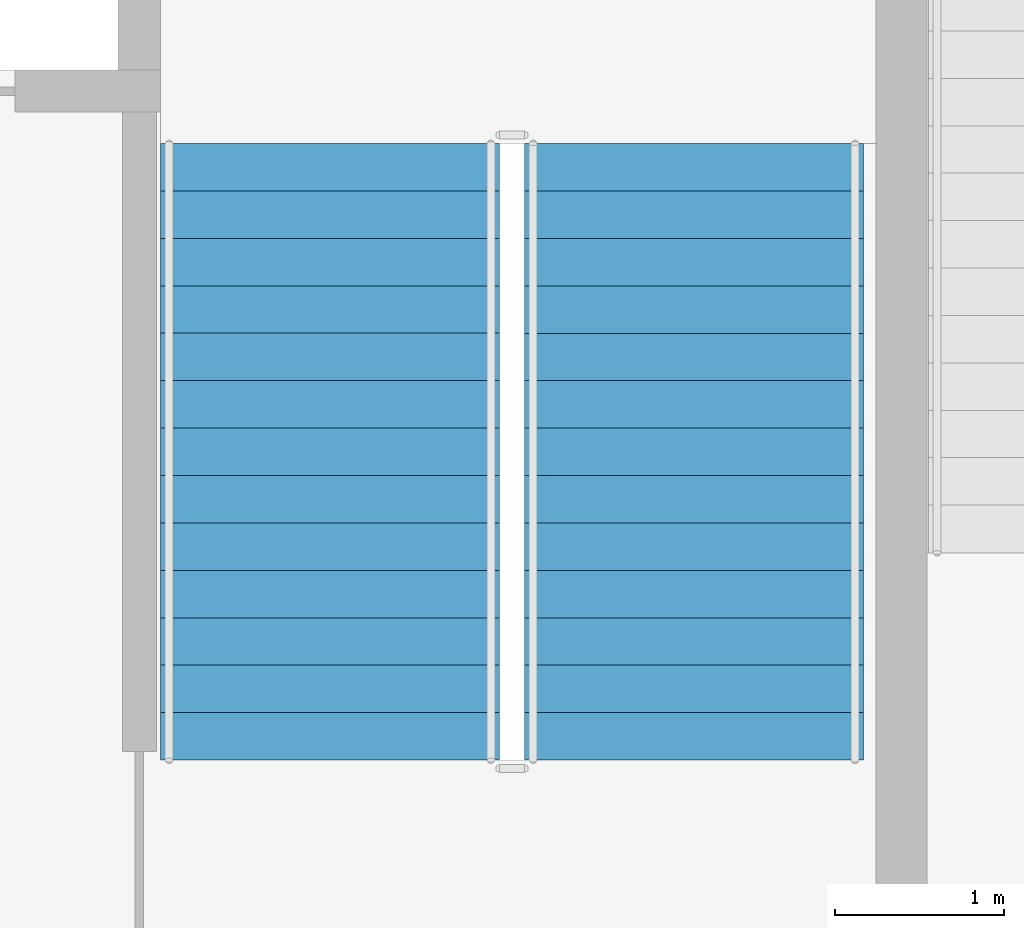
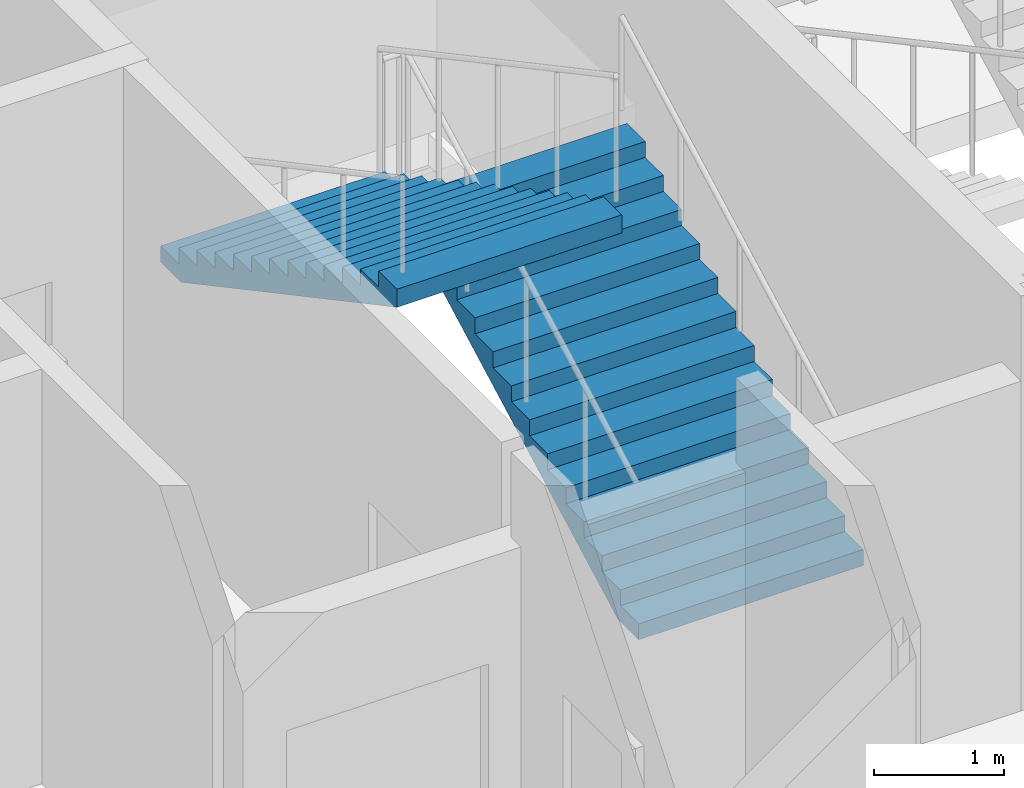
# One storey, part 4 of 6: 2 stair flights, 1 element without a shape of its own.
"""IFC4 building model written with IfcOpenShell, lengths in metres."""

from ifc_helpers import new_model, si_unit, direction, frame, origin, place, context, subcontext, project, spatial, polygons, material, type_object, element, aggregate, save


model = new_model("IFC4")

# Units and contexts
model_context = context("Model", 3, precision=1e-05, world=origin(), true_north=direction((0.0, 1.0)))
body_context = subcontext(model_context, "Body", "Model", "MODEL_VIEW")
ifc_project = project(units=[si_unit("LENGTHUNIT", "METRE"), si_unit("AREAUNIT", "SQUARE_METRE"), si_unit("VOLUMEUNIT", "CUBIC_METRE"), si_unit("PLANEANGLEUNIT", "RADIAN"), si_unit("MASSUNIT", "GRAM", prefix="KILO")], contexts=[model_context])

# Site, building, storey
site_placement = place(None, origin())
site = spatial("IfcSite", under=ifc_project, at=site_placement, CompositionType="ELEMENT")
building_placement = place(site_placement, origin())
building = spatial("IfcBuilding", under=site, at=building_placement, Name="Caravel Reach Hotel and Residences", CompositionType="ELEMENT")
storey_placement = place(building_placement, frame((0.0, 0.0, 321.199951171875)))
storey = spatial("IfcBuildingStorey", under=building, at=storey_placement, Name="L81", CompositionType="ELEMENT", Elevation=321.199951171875)

# Stair, stair flights
ifc_material_1 = material(Name="Concrete C40", Category="concrete")
stair_type = type_object("IfcStairType", Name="Core stair", PredefinedType="HALF_TURN_STAIR", material=ifc_material_1)
stair_placement = place(storey_placement, origin())
stair = element("IfcStair", 1, at=stair_placement, inside=storey, type_object=stair_type, Name="L81 Exit stair B", PredefinedType="HALF_TURN_STAIR")
ifc_material_2 = material(Name="Concrete C40", Category="concrete")
stair_flight_type = type_object("IfcStairFlightType", Name="Core stair flight", PredefinedType="STRAIGHT", material=ifc_material_2)
stair_flight_1_placement = place(storey_placement, frame((43.77490234375, 24.64990234375, 0.0), z_axis=(0.0, 0.0, 1.0), x_axis=(0.0, 1.0, 0.0)))
stair_flight_1 = element("IfcStairFlight", 2, at=stair_flight_1_placement, type_object=stair_flight_type, Name="ST-B flight 1", NumberOfRisers=14, NumberOfTreads=13, PredefinedType="STRAIGHT", RiserHeight=0.15, TreadLength=0.28, context=body_context, shape_type="Tessellation", body=[
    polygons([(0.3174408016601862, 1.0, 0.0), (0.3174408016601862, 0.6666666666666667, 0.0), (0.3174408016601862, 0.33333333333333337, 0.0), (0.3174408016601862, 0.0, 0.0), (0.3174408016601862, -0.33333333333333326, 0.0), (0.3174408016601862, -0.6666666666666667, 0.0), (0.3174408016601862, -1.0, 0.0), (3.6410000000000005, 1.0, 1.7799424276820432), (3.6410000000000005, 0.6666666666666667, 1.7799424276820432), (3.6410000000000005, 0.33333333333333337, 1.7799424276820432), (3.6410000000000005, 0.0, 1.7799424276820432), (3.6410000000000005, -0.33333333333333326, 1.7799424276820432), (3.6410000000000005, -0.6666666666666667, 1.7799424276820432), (3.6410000000000005, -1.0, 1.7799424276820432), (3.6410000000000005, 1.0, 1.95), (3.6410000000000005, 0.6666666666666667, 1.95), (3.6410000000000005, 0.33333333333333337, 1.95), (3.6410000000000005, 0.0, 1.95), (3.6410000000000005, -0.33333333333333326, 1.95), (3.6410000000000005, -0.6666666666666667, 1.95), (3.6410000000000005, -1.0, 1.95), (3.3600000000000003, 1.0, 1.95), (3.3600000000000003, 0.6666666666666667, 1.95), (3.3600000000000003, 0.33333333333333337, 1.95), (3.3600000000000003, 0.0, 1.95), (3.3600000000000003, -0.33333333333333326, 1.95), (3.3600000000000003, -0.6666666666666667, 1.95), (3.3600000000000003, -1.0, 1.95), (3.3600000000000003, 1.0, 1.7999999999999998), (3.3600000000000003, 0.6666666666666667, 1.7999999999999998), (3.3600000000000003, 0.33333333333333337, 1.7999999999999998), (3.3600000000000003, 0.0, 1.7999999999999998), (3.3600000000000003, -0.33333333333333326, 1.7999999999999998), (3.3600000000000003, -0.6666666666666667, 1.7999999999999998), (3.3600000000000003, -1.0, 1.7999999999999998), (3.08, 1.0, 1.7999999999999998), (3.08, 0.6666666666666667, 1.7999999999999998), (3.08, 0.33333333333333337, 1.7999999999999998), (3.08, 0.0, 1.7999999999999998), (3.08, -0.33333333333333326, 1.7999999999999998), (3.08, -0.6666666666666667, 1.7999999999999998), (3.08, -1.0, 1.7999999999999998), (3.08, 1.0, 1.65), (3.08, 0.6666666666666667, 1.65), (3.08, 0.33333333333333337, 1.65), (3.08, 0.0, 1.65), (3.08, -0.33333333333333326, 1.65), (3.08, -0.6666666666666667, 1.65), (3.08, -1.0, 1.65), (2.8000000000000003, 1.0, 1.65), (2.8000000000000003, 0.6666666666666667, 1.65), (2.8000000000000003, 0.33333333333333337, 1.65), (2.8000000000000003, 0.0, 1.65), (2.8000000000000003, -0.33333333333333326, 1.65), (2.8000000000000003, -0.6666666666666667, 1.65), (2.8000000000000003, -1.0, 1.65), (2.8000000000000003, 1.0, 1.5), (2.8000000000000003, 0.6666666666666667, 1.5), (2.8000000000000003, 0.33333333333333337, 1.5), (2.8000000000000003, 0.0, 1.5), (2.8000000000000003, -0.33333333333333326, 1.5), (2.8000000000000003, -0.6666666666666667, 1.5), (2.8000000000000003, -1.0, 1.5), (2.5200000000000005, 1.0, 1.5), (2.5200000000000005, 0.6666666666666667, 1.5), (2.5200000000000005, 0.33333333333333337, 1.5), (2.5200000000000005, 0.0, 1.5), (2.5200000000000005, -0.33333333333333326, 1.5), (2.5200000000000005, -0.6666666666666667, 1.5), (2.5200000000000005, -1.0, 1.5), (2.5200000000000005, 1.0, 1.3499999999999999), (2.5200000000000005, 0.6666666666666667, 1.3499999999999999), (2.5200000000000005, 0.33333333333333337, 1.3499999999999999), (2.5200000000000005, 0.0, 1.3499999999999999), (2.5200000000000005, -0.33333333333333326, 1.3499999999999999), (2.5200000000000005, -0.6666666666666667, 1.3499999999999999), (2.5200000000000005, -1.0, 1.3499999999999999), (2.24, 1.0, 1.3499999999999999), (2.24, 0.6666666666666667, 1.3499999999999999), (2.24, 0.33333333333333337, 1.3499999999999999), (2.24, 0.0, 1.3499999999999999), (2.24, -0.33333333333333326, 1.3499999999999999), (2.24, -0.6666666666666667, 1.3499999999999999), (2.24, -1.0, 1.3499999999999999), (2.24, 1.0, 1.2), (2.24, 0.6666666666666667, 1.2), (2.24, 0.33333333333333337, 1.2), (2.24, 0.0, 1.2), (2.24, -0.33333333333333326, 1.2), (2.24, -0.6666666666666667, 1.2), (2.24, -1.0, 1.2), (1.9600000000000002, 1.0, 1.2), (1.9600000000000002, 0.6666666666666667, 1.2), (1.9600000000000002, 0.33333333333333337, 1.2), (1.9600000000000002, 0.0, 1.2), (1.9600000000000002, -0.33333333333333326, 1.2), (1.9600000000000002, -0.6666666666666667, 1.2), (1.9600000000000002, -1.0, 1.2), (1.9600000000000002, 1.0, 1.05), (1.9600000000000002, 0.6666666666666667, 1.05), (1.9600000000000002, 0.33333333333333337, 1.05), (1.9600000000000002, 0.0, 1.05), (1.9600000000000002, -0.33333333333333326, 1.05), (1.9600000000000002, -0.6666666666666667, 1.05), (1.9600000000000002, -1.0, 1.05), (1.6800000000000002, 1.0, 1.05), (1.6800000000000002, 0.6666666666666667, 1.05), (1.6800000000000002, 0.33333333333333337, 1.05), (1.6800000000000002, 0.0, 1.05), (1.6800000000000002, -0.33333333333333326, 1.05), (1.6800000000000002, -0.6666666666666667, 1.05), (1.6800000000000002, -1.0, 1.05), (1.6800000000000002, 1.0, 0.8999999999999999), (1.6800000000000002, 0.6666666666666667, 0.8999999999999999), (1.6800000000000002, 0.33333333333333337, 0.8999999999999999), (1.6800000000000002, 0.0, 0.8999999999999999), (1.6800000000000002, -0.33333333333333326, 0.8999999999999999), (1.6800000000000002, -0.6666666666666667, 0.8999999999999999), (1.6800000000000002, -1.0, 0.8999999999999999), (1.4000000000000001, 1.0, 0.8999999999999999), (1.4000000000000001, 0.6666666666666667, 0.8999999999999999), (1.4000000000000001, 0.33333333333333337, 0.8999999999999999), (1.4000000000000001, 0.0, 0.8999999999999999), (1.4000000000000001, -0.33333333333333326, 0.8999999999999999), (1.4000000000000001, -0.6666666666666667, 0.8999999999999999), (1.4000000000000001, -1.0, 0.8999999999999999), (1.4000000000000001, 1.0, 0.75), (1.4000000000000001, 0.6666666666666667, 0.75), (1.4000000000000001, 0.33333333333333337, 0.75), (1.4000000000000001, 0.0, 0.75), (1.4000000000000001, -0.33333333333333326, 0.75), (1.4000000000000001, -0.6666666666666667, 0.75), (1.4000000000000001, -1.0, 0.75), (1.12, 1.0, 0.75), (1.12, 0.6666666666666667, 0.75), (1.12, 0.33333333333333337, 0.75), (1.12, 0.0, 0.75), (1.12, -0.33333333333333326, 0.75), (1.12, -0.6666666666666667, 0.75), (1.12, -1.0, 0.75), (1.12, 1.0, 0.6), (1.12, 0.6666666666666667, 0.6), (1.12, 0.33333333333333337, 0.6), (1.12, 0.0, 0.6), (1.12, -0.33333333333333326, 0.6), (1.12, -0.6666666666666667, 0.6), (1.12, -1.0, 0.6), (0.8400000000000001, 1.0, 0.6), (0.8400000000000001, 0.6666666666666667, 0.6), (0.8400000000000001, 0.33333333333333337, 0.6), (0.8400000000000001, 0.0, 0.6), (0.8400000000000001, -0.33333333333333326, 0.6), (0.8400000000000001, -0.6666666666666667, 0.6), (0.8400000000000001, -1.0, 0.6), (0.8400000000000001, 1.0, 0.44999999999999996), (0.8400000000000001, 0.6666666666666667, 0.44999999999999996), (0.8400000000000001, 0.33333333333333337, 0.44999999999999996), (0.8400000000000001, 0.0, 0.44999999999999996), (0.8400000000000001, -0.33333333333333326, 0.44999999999999996), (0.8400000000000001, -0.6666666666666667, 0.44999999999999996), (0.8400000000000001, -1.0, 0.44999999999999996), (0.56, 1.0, 0.44999999999999996), (0.56, 0.6666666666666667, 0.44999999999999996), (0.56, 0.33333333333333337, 0.44999999999999996), (0.56, 0.0, 0.44999999999999996), (0.56, -0.33333333333333326, 0.44999999999999996), (0.56, -0.6666666666666667, 0.44999999999999996), (0.56, -1.0, 0.44999999999999996), (0.56, 1.0, 0.3), (0.56, 0.6666666666666667, 0.3), (0.56, 0.33333333333333337, 0.3), (0.56, 0.0, 0.3), (0.56, -0.33333333333333326, 0.3), (0.56, -0.6666666666666667, 0.3), (0.56, -1.0, 0.3), (0.28, 1.0, 0.3), (0.28, 0.6666666666666667, 0.3), (0.28, 0.33333333333333337, 0.3), (0.28, 0.0, 0.3), (0.28, -0.33333333333333326, 0.3), (0.28, -0.6666666666666667, 0.3), (0.28, -1.0, 0.3), (0.28, 1.0, 0.15), (0.28, 0.6666666666666667, 0.15), (0.28, 0.33333333333333337, 0.15), (0.28, 0.0, 0.15), (0.28, -0.33333333333333326, 0.15), (0.28, -0.6666666666666667, 0.15), (0.28, -1.0, 0.15), (-0.001, 1.0, 0.15), (-0.001, 0.6666666666666667, 0.15), (-0.001, 0.33333333333333337, 0.15), (-0.001, 0.0, 0.15), (-0.001, -0.33333333333333326, 0.15), (-0.001, -0.6666666666666667, 0.15), (-0.001, -1.0, 0.15), (-0.001, 1.0, 0.0), (-0.001, 0.6666666666666667, 0.0), (-0.001, 0.33333333333333337, 0.0), (-0.001, 0.0, 0.0), (-0.001, -0.33333333333333326, 0.0), (-0.001, -0.6666666666666667, 0.0), (-0.001, -1.0, 0.0)], [[[197, 190, 183, 176, 169, 162, 155, 148, 141, 134, 127, 120, 113, 106, 99, 92, 85, 78, 71, 64, 57, 50, 43, 36, 29, 22, 15, 8, 1]], [[7, 14, 21, 28, 35, 42, 49, 56, 63, 70, 77, 84, 91, 98, 105, 112, 119, 126, 133, 140, 147, 154, 161, 168, 175, 182, 189, 196, 203]], [[1, 8, 9, 2]], [[2, 9, 10, 3]], [[3, 10, 11, 4]], [[4, 11, 12, 5]], [[5, 12, 13, 6]], [[6, 13, 14, 7]], [[8, 15, 16, 9]], [[9, 16, 17, 10]], [[10, 17, 18, 11]], [[11, 18, 19, 12]], [[12, 19, 20, 13]], [[13, 20, 21, 14]], [[15, 22, 23, 16]], [[16, 23, 24, 17]], [[17, 24, 25, 18]], [[18, 25, 26, 19]], [[19, 26, 27, 20]], [[20, 27, 28, 21]], [[22, 29, 30, 23]], [[23, 30, 31, 24]], [[24, 31, 32, 25]], [[25, 32, 33, 26]], [[26, 33, 34, 27]], [[27, 34, 35, 28]], [[29, 36, 37, 30]], [[30, 37, 38, 31]], [[31, 38, 39, 32]], [[32, 39, 40, 33]], [[33, 40, 41, 34]], [[34, 41, 42, 35]], [[36, 43, 44, 37]], [[37, 44, 45, 38]], [[38, 45, 46, 39]], [[39, 46, 47, 40]], [[40, 47, 48, 41]], [[41, 48, 49, 42]], [[43, 50, 51, 44]], [[44, 51, 52, 45]], [[45, 52, 53, 46]], [[46, 53, 54, 47]], [[47, 54, 55, 48]], [[48, 55, 56, 49]], [[50, 57, 58, 51]], [[51, 58, 59, 52]], [[52, 59, 60, 53]], [[53, 60, 61, 54]], [[54, 61, 62, 55]], [[55, 62, 63, 56]], [[57, 64, 65, 58]], [[58, 65, 66, 59]], [[59, 66, 67, 60]], [[60, 67, 68, 61]], [[61, 68, 69, 62]], [[62, 69, 70, 63]], [[64, 71, 72, 65]], [[65, 72, 73, 66]], [[66, 73, 74, 67]], [[67, 74, 75, 68]], [[68, 75, 76, 69]], [[69, 76, 77, 70]], [[71, 78, 79, 72]], [[72, 79, 80, 73]], [[73, 80, 81, 74]], [[74, 81, 82, 75]], [[75, 82, 83, 76]], [[76, 83, 84, 77]], [[78, 85, 86, 79]], [[79, 86, 87, 80]], [[80, 87, 88, 81]], [[81, 88, 89, 82]], [[82, 89, 90, 83]], [[83, 90, 91, 84]], [[85, 92, 93, 86]], [[86, 93, 94, 87]], [[87, 94, 95, 88]], [[88, 95, 96, 89]], [[89, 96, 97, 90]], [[90, 97, 98, 91]], [[92, 99, 100, 93]], [[93, 100, 101, 94]], [[94, 101, 102, 95]], [[95, 102, 103, 96]], [[96, 103, 104, 97]], [[97, 104, 105, 98]], [[99, 106, 107, 100]], [[100, 107, 108, 101]], [[101, 108, 109, 102]], [[102, 109, 110, 103]], [[103, 110, 111, 104]], [[104, 111, 112, 105]], [[106, 113, 114, 107]], [[107, 114, 115, 108]], [[108, 115, 116, 109]], [[109, 116, 117, 110]], [[110, 117, 118, 111]], [[111, 118, 119, 112]], [[113, 120, 121, 114]], [[114, 121, 122, 115]], [[115, 122, 123, 116]], [[116, 123, 124, 117]], [[117, 124, 125, 118]], [[118, 125, 126, 119]], [[120, 127, 128, 121]], [[121, 128, 129, 122]], [[122, 129, 130, 123]], [[123, 130, 131, 124]], [[124, 131, 132, 125]], [[125, 132, 133, 126]], [[127, 134, 135, 128]], [[128, 135, 136, 129]], [[129, 136, 137, 130]], [[130, 137, 138, 131]], [[131, 138, 139, 132]], [[132, 139, 140, 133]], [[134, 141, 142, 135]], [[135, 142, 143, 136]], [[136, 143, 144, 137]], [[137, 144, 145, 138]], [[138, 145, 146, 139]], [[139, 146, 147, 140]], [[141, 148, 149, 142]], [[142, 149, 150, 143]], [[143, 150, 151, 144]], [[144, 151, 152, 145]], [[145, 152, 153, 146]], [[146, 153, 154, 147]], [[148, 155, 156, 149]], [[149, 156, 157, 150]], [[150, 157, 158, 151]], [[151, 158, 159, 152]], [[152, 159, 160, 153]], [[153, 160, 161, 154]], [[155, 162, 163, 156]], [[156, 163, 164, 157]], [[157, 164, 165, 158]], [[158, 165, 166, 159]], [[159, 166, 167, 160]], [[160, 167, 168, 161]], [[162, 169, 170, 163]], [[163, 170, 171, 164]], [[164, 171, 172, 165]], [[165, 172, 173, 166]], [[166, 173, 174, 167]], [[167, 174, 175, 168]], [[169, 176, 177, 170]], [[170, 177, 178, 171]], [[171, 178, 179, 172]], [[172, 179, 180, 173]], [[173, 180, 181, 174]], [[174, 181, 182, 175]], [[176, 183, 184, 177]], [[177, 184, 185, 178]], [[178, 185, 186, 179]], [[179, 186, 187, 180]], [[180, 187, 188, 181]], [[181, 188, 189, 182]], [[183, 190, 191, 184]], [[184, 191, 192, 185]], [[185, 192, 193, 186]], [[186, 193, 194, 187]], [[187, 194, 195, 188]], [[188, 195, 196, 189]], [[190, 197, 198, 191]], [[191, 198, 199, 192]], [[192, 199, 200, 193]], [[193, 200, 201, 194]], [[194, 201, 202, 195]], [[195, 202, 203, 196]], [[197, 1, 2, 198]], [[198, 2, 3, 199]], [[199, 3, 4, 200]], [[200, 4, 5, 201]], [[201, 5, 6, 202]], [[202, 6, 7, 203]]], closed=True),
])
stair_flight_2_placement = place(storey_placement, frame((41.625, 28.2900390625, 2.10009765625), z_axis=(0.0, 0.0, 1.0), x_axis=(0.0, -1.0, 0.0)))
stair_flight_2 = element("IfcStairFlight", 3, at=stair_flight_2_placement, type_object=stair_flight_type, Name="ST-B flight 2", NumberOfRisers=14, NumberOfTreads=13, PredefinedType="STRAIGHT", RiserHeight=0.15, TreadLength=0.28, context=body_context, shape_type="Tessellation", body=[
    polygons([(0.3174408016601862, 1.0, 0.0), (0.3174408016601862, 0.6666666666666667, 0.0), (0.3174408016601862, 0.33333333333333337, 0.0), (0.3174408016601862, 0.0, 0.0), (0.3174408016601862, -0.33333333333333326, 0.0), (0.3174408016601862, -0.6666666666666667, 0.0), (0.3174408016601862, -1.0, 0.0), (3.6410000000000005, 1.0, 1.7799424276820432), (3.6410000000000005, 0.6666666666666667, 1.7799424276820432), (3.6410000000000005, 0.33333333333333337, 1.7799424276820432), (3.6410000000000005, 0.0, 1.7799424276820432), (3.6410000000000005, -0.33333333333333326, 1.7799424276820432), (3.6410000000000005, -0.6666666666666667, 1.7799424276820432), (3.6410000000000005, -1.0, 1.7799424276820432), (3.6410000000000005, 1.0, 1.95), (3.6410000000000005, 0.6666666666666667, 1.95), (3.6410000000000005, 0.33333333333333337, 1.95), (3.6410000000000005, 0.0, 1.95), (3.6410000000000005, -0.33333333333333326, 1.95), (3.6410000000000005, -0.6666666666666667, 1.95), (3.6410000000000005, -1.0, 1.95), (3.3600000000000003, 1.0, 1.95), (3.3600000000000003, 0.6666666666666667, 1.95), (3.3600000000000003, 0.33333333333333337, 1.95), (3.3600000000000003, 0.0, 1.95), (3.3600000000000003, -0.33333333333333326, 1.95), (3.3600000000000003, -0.6666666666666667, 1.95), (3.3600000000000003, -1.0, 1.95), (3.3600000000000003, 1.0, 1.7999999999999998), (3.3600000000000003, 0.6666666666666667, 1.7999999999999998), (3.3600000000000003, 0.33333333333333337, 1.7999999999999998), (3.3600000000000003, 0.0, 1.7999999999999998), (3.3600000000000003, -0.33333333333333326, 1.7999999999999998), (3.3600000000000003, -0.6666666666666667, 1.7999999999999998), (3.3600000000000003, -1.0, 1.7999999999999998), (3.08, 1.0, 1.7999999999999998), (3.08, 0.6666666666666667, 1.7999999999999998), (3.08, 0.33333333333333337, 1.7999999999999998), (3.08, 0.0, 1.7999999999999998), (3.08, -0.33333333333333326, 1.7999999999999998), (3.08, -0.6666666666666667, 1.7999999999999998), (3.08, -1.0, 1.7999999999999998), (3.08, 1.0, 1.65), (3.08, 0.6666666666666667, 1.65), (3.08, 0.33333333333333337, 1.65), (3.08, 0.0, 1.65), (3.08, -0.33333333333333326, 1.65), (3.08, -0.6666666666666667, 1.65), (3.08, -1.0, 1.65), (2.8000000000000003, 1.0, 1.65), (2.8000000000000003, 0.6666666666666667, 1.65), (2.8000000000000003, 0.33333333333333337, 1.65), (2.8000000000000003, 0.0, 1.65), (2.8000000000000003, -0.33333333333333326, 1.65), (2.8000000000000003, -0.6666666666666667, 1.65), (2.8000000000000003, -1.0, 1.65), (2.8000000000000003, 1.0, 1.5), (2.8000000000000003, 0.6666666666666667, 1.5), (2.8000000000000003, 0.33333333333333337, 1.5), (2.8000000000000003, 0.0, 1.5), (2.8000000000000003, -0.33333333333333326, 1.5), (2.8000000000000003, -0.6666666666666667, 1.5), (2.8000000000000003, -1.0, 1.5), (2.5200000000000005, 1.0, 1.5), (2.5200000000000005, 0.6666666666666667, 1.5), (2.5200000000000005, 0.33333333333333337, 1.5), (2.5200000000000005, 0.0, 1.5), (2.5200000000000005, -0.33333333333333326, 1.5), (2.5200000000000005, -0.6666666666666667, 1.5), (2.5200000000000005, -1.0, 1.5), (2.5200000000000005, 1.0, 1.3499999999999999), (2.5200000000000005, 0.6666666666666667, 1.3499999999999999), (2.5200000000000005, 0.33333333333333337, 1.3499999999999999), (2.5200000000000005, 0.0, 1.3499999999999999), (2.5200000000000005, -0.33333333333333326, 1.3499999999999999), (2.5200000000000005, -0.6666666666666667, 1.3499999999999999), (2.5200000000000005, -1.0, 1.3499999999999999), (2.24, 1.0, 1.3499999999999999), (2.24, 0.6666666666666667, 1.3499999999999999), (2.24, 0.33333333333333337, 1.3499999999999999), (2.24, 0.0, 1.3499999999999999), (2.24, -0.33333333333333326, 1.3499999999999999), (2.24, -0.6666666666666667, 1.3499999999999999), (2.24, -1.0, 1.3499999999999999), (2.24, 1.0, 1.2), (2.24, 0.6666666666666667, 1.2), (2.24, 0.33333333333333337, 1.2), (2.24, 0.0, 1.2), (2.24, -0.33333333333333326, 1.2), (2.24, -0.6666666666666667, 1.2), (2.24, -1.0, 1.2), (1.9600000000000002, 1.0, 1.2), (1.9600000000000002, 0.6666666666666667, 1.2), (1.9600000000000002, 0.33333333333333337, 1.2), (1.9600000000000002, 0.0, 1.2), (1.9600000000000002, -0.33333333333333326, 1.2), (1.9600000000000002, -0.6666666666666667, 1.2), (1.9600000000000002, -1.0, 1.2), (1.9600000000000002, 1.0, 1.05), (1.9600000000000002, 0.6666666666666667, 1.05), (1.9600000000000002, 0.33333333333333337, 1.05), (1.9600000000000002, 0.0, 1.05), (1.9600000000000002, -0.33333333333333326, 1.05), (1.9600000000000002, -0.6666666666666667, 1.05), (1.9600000000000002, -1.0, 1.05), (1.6800000000000002, 1.0, 1.05), (1.6800000000000002, 0.6666666666666667, 1.05), (1.6800000000000002, 0.33333333333333337, 1.05), (1.6800000000000002, 0.0, 1.05), (1.6800000000000002, -0.33333333333333326, 1.05), (1.6800000000000002, -0.6666666666666667, 1.05), (1.6800000000000002, -1.0, 1.05), (1.6800000000000002, 1.0, 0.8999999999999999), (1.6800000000000002, 0.6666666666666667, 0.8999999999999999), (1.6800000000000002, 0.33333333333333337, 0.8999999999999999), (1.6800000000000002, 0.0, 0.8999999999999999), (1.6800000000000002, -0.33333333333333326, 0.8999999999999999), (1.6800000000000002, -0.6666666666666667, 0.8999999999999999), (1.6800000000000002, -1.0, 0.8999999999999999), (1.4000000000000001, 1.0, 0.8999999999999999), (1.4000000000000001, 0.6666666666666667, 0.8999999999999999), (1.4000000000000001, 0.33333333333333337, 0.8999999999999999), (1.4000000000000001, 0.0, 0.8999999999999999), (1.4000000000000001, -0.33333333333333326, 0.8999999999999999), (1.4000000000000001, -0.6666666666666667, 0.8999999999999999), (1.4000000000000001, -1.0, 0.8999999999999999), (1.4000000000000001, 1.0, 0.75), (1.4000000000000001, 0.6666666666666667, 0.75), (1.4000000000000001, 0.33333333333333337, 0.75), (1.4000000000000001, 0.0, 0.75), (1.4000000000000001, -0.33333333333333326, 0.75), (1.4000000000000001, -0.6666666666666667, 0.75), (1.4000000000000001, -1.0, 0.75), (1.12, 1.0, 0.75), (1.12, 0.6666666666666667, 0.75), (1.12, 0.33333333333333337, 0.75), (1.12, 0.0, 0.75), (1.12, -0.33333333333333326, 0.75), (1.12, -0.6666666666666667, 0.75), (1.12, -1.0, 0.75), (1.12, 1.0, 0.6), (1.12, 0.6666666666666667, 0.6), (1.12, 0.33333333333333337, 0.6), (1.12, 0.0, 0.6), (1.12, -0.33333333333333326, 0.6), (1.12, -0.6666666666666667, 0.6), (1.12, -1.0, 0.6), (0.8400000000000001, 1.0, 0.6), (0.8400000000000001, 0.6666666666666667, 0.6), (0.8400000000000001, 0.33333333333333337, 0.6), (0.8400000000000001, 0.0, 0.6), (0.8400000000000001, -0.33333333333333326, 0.6), (0.8400000000000001, -0.6666666666666667, 0.6), (0.8400000000000001, -1.0, 0.6), (0.8400000000000001, 1.0, 0.44999999999999996), (0.8400000000000001, 0.6666666666666667, 0.44999999999999996), (0.8400000000000001, 0.33333333333333337, 0.44999999999999996), (0.8400000000000001, 0.0, 0.44999999999999996), (0.8400000000000001, -0.33333333333333326, 0.44999999999999996), (0.8400000000000001, -0.6666666666666667, 0.44999999999999996), (0.8400000000000001, -1.0, 0.44999999999999996), (0.56, 1.0, 0.44999999999999996), (0.56, 0.6666666666666667, 0.44999999999999996), (0.56, 0.33333333333333337, 0.44999999999999996), (0.56, 0.0, 0.44999999999999996), (0.56, -0.33333333333333326, 0.44999999999999996), (0.56, -0.6666666666666667, 0.44999999999999996), (0.56, -1.0, 0.44999999999999996), (0.56, 1.0, 0.3), (0.56, 0.6666666666666667, 0.3), (0.56, 0.33333333333333337, 0.3), (0.56, 0.0, 0.3), (0.56, -0.33333333333333326, 0.3), (0.56, -0.6666666666666667, 0.3), (0.56, -1.0, 0.3), (0.28, 1.0, 0.3), (0.28, 0.6666666666666667, 0.3), (0.28, 0.33333333333333337, 0.3), (0.28, 0.0, 0.3), (0.28, -0.33333333333333326, 0.3), (0.28, -0.6666666666666667, 0.3), (0.28, -1.0, 0.3), (0.28, 1.0, 0.15), (0.28, 0.6666666666666667, 0.15), (0.28, 0.33333333333333337, 0.15), (0.28, 0.0, 0.15), (0.28, -0.33333333333333326, 0.15), (0.28, -0.6666666666666667, 0.15), (0.28, -1.0, 0.15), (-0.001, 1.0, 0.15), (-0.001, 0.6666666666666667, 0.15), (-0.001, 0.33333333333333337, 0.15), (-0.001, 0.0, 0.15), (-0.001, -0.33333333333333326, 0.15), (-0.001, -0.6666666666666667, 0.15), (-0.001, -1.0, 0.15), (-0.001, 1.0, 0.0), (-0.001, 0.6666666666666667, 0.0), (-0.001, 0.33333333333333337, 0.0), (-0.001, 0.0, 0.0), (-0.001, -0.33333333333333326, 0.0), (-0.001, -0.6666666666666667, 0.0), (-0.001, -1.0, 0.0)], [[[197, 190, 183, 176, 169, 162, 155, 148, 141, 134, 127, 120, 113, 106, 99, 92, 85, 78, 71, 64, 57, 50, 43, 36, 29, 22, 15, 8, 1]], [[7, 14, 21, 28, 35, 42, 49, 56, 63, 70, 77, 84, 91, 98, 105, 112, 119, 126, 133, 140, 147, 154, 161, 168, 175, 182, 189, 196, 203]], [[1, 8, 9, 2]], [[2, 9, 10, 3]], [[3, 10, 11, 4]], [[4, 11, 12, 5]], [[5, 12, 13, 6]], [[6, 13, 14, 7]], [[8, 15, 16, 9]], [[9, 16, 17, 10]], [[10, 17, 18, 11]], [[11, 18, 19, 12]], [[12, 19, 20, 13]], [[13, 20, 21, 14]], [[15, 22, 23, 16]], [[16, 23, 24, 17]], [[17, 24, 25, 18]], [[18, 25, 26, 19]], [[19, 26, 27, 20]], [[20, 27, 28, 21]], [[22, 29, 30, 23]], [[23, 30, 31, 24]], [[24, 31, 32, 25]], [[25, 32, 33, 26]], [[26, 33, 34, 27]], [[27, 34, 35, 28]], [[29, 36, 37, 30]], [[30, 37, 38, 31]], [[31, 38, 39, 32]], [[32, 39, 40, 33]], [[33, 40, 41, 34]], [[34, 41, 42, 35]], [[36, 43, 44, 37]], [[37, 44, 45, 38]], [[38, 45, 46, 39]], [[39, 46, 47, 40]], [[40, 47, 48, 41]], [[41, 48, 49, 42]], [[43, 50, 51, 44]], [[44, 51, 52, 45]], [[45, 52, 53, 46]], [[46, 53, 54, 47]], [[47, 54, 55, 48]], [[48, 55, 56, 49]], [[50, 57, 58, 51]], [[51, 58, 59, 52]], [[52, 59, 60, 53]], [[53, 60, 61, 54]], [[54, 61, 62, 55]], [[55, 62, 63, 56]], [[57, 64, 65, 58]], [[58, 65, 66, 59]], [[59, 66, 67, 60]], [[60, 67, 68, 61]], [[61, 68, 69, 62]], [[62, 69, 70, 63]], [[64, 71, 72, 65]], [[65, 72, 73, 66]], [[66, 73, 74, 67]], [[67, 74, 75, 68]], [[68, 75, 76, 69]], [[69, 76, 77, 70]], [[71, 78, 79, 72]], [[72, 79, 80, 73]], [[73, 80, 81, 74]], [[74, 81, 82, 75]], [[75, 82, 83, 76]], [[76, 83, 84, 77]], [[78, 85, 86, 79]], [[79, 86, 87, 80]], [[80, 87, 88, 81]], [[81, 88, 89, 82]], [[82, 89, 90, 83]], [[83, 90, 91, 84]], [[85, 92, 93, 86]], [[86, 93, 94, 87]], [[87, 94, 95, 88]], [[88, 95, 96, 89]], [[89, 96, 97, 90]], [[90, 97, 98, 91]], [[92, 99, 100, 93]], [[93, 100, 101, 94]], [[94, 101, 102, 95]], [[95, 102, 103, 96]], [[96, 103, 104, 97]], [[97, 104, 105, 98]], [[99, 106, 107, 100]], [[100, 107, 108, 101]], [[101, 108, 109, 102]], [[102, 109, 110, 103]], [[103, 110, 111, 104]], [[104, 111, 112, 105]], [[106, 113, 114, 107]], [[107, 114, 115, 108]], [[108, 115, 116, 109]], [[109, 116, 117, 110]], [[110, 117, 118, 111]], [[111, 118, 119, 112]], [[113, 120, 121, 114]], [[114, 121, 122, 115]], [[115, 122, 123, 116]], [[116, 123, 124, 117]], [[117, 124, 125, 118]], [[118, 125, 126, 119]], [[120, 127, 128, 121]], [[121, 128, 129, 122]], [[122, 129, 130, 123]], [[123, 130, 131, 124]], [[124, 131, 132, 125]], [[125, 132, 133, 126]], [[127, 134, 135, 128]], [[128, 135, 136, 129]], [[129, 136, 137, 130]], [[130, 137, 138, 131]], [[131, 138, 139, 132]], [[132, 139, 140, 133]], [[134, 141, 142, 135]], [[135, 142, 143, 136]], [[136, 143, 144, 137]], [[137, 144, 145, 138]], [[138, 145, 146, 139]], [[139, 146, 147, 140]], [[141, 148, 149, 142]], [[142, 149, 150, 143]], [[143, 150, 151, 144]], [[144, 151, 152, 145]], [[145, 152, 153, 146]], [[146, 153, 154, 147]], [[148, 155, 156, 149]], [[149, 156, 157, 150]], [[150, 157, 158, 151]], [[151, 158, 159, 152]], [[152, 159, 160, 153]], [[153, 160, 161, 154]], [[155, 162, 163, 156]], [[156, 163, 164, 157]], [[157, 164, 165, 158]], [[158, 165, 166, 159]], [[159, 166, 167, 160]], [[160, 167, 168, 161]], [[162, 169, 170, 163]], [[163, 170, 171, 164]], [[164, 171, 172, 165]], [[165, 172, 173, 166]], [[166, 173, 174, 167]], [[167, 174, 175, 168]], [[169, 176, 177, 170]], [[170, 177, 178, 171]], [[171, 178, 179, 172]], [[172, 179, 180, 173]], [[173, 180, 181, 174]], [[174, 181, 182, 175]], [[176, 183, 184, 177]], [[177, 184, 185, 178]], [[178, 185, 186, 179]], [[179, 186, 187, 180]], [[180, 187, 188, 181]], [[181, 188, 189, 182]], [[183, 190, 191, 184]], [[184, 191, 192, 185]], [[185, 192, 193, 186]], [[186, 193, 194, 187]], [[187, 194, 195, 188]], [[188, 195, 196, 189]], [[190, 197, 198, 191]], [[191, 198, 199, 192]], [[192, 199, 200, 193]], [[193, 200, 201, 194]], [[194, 201, 202, 195]], [[195, 202, 203, 196]], [[197, 1, 2, 198]], [[198, 2, 3, 199]], [[199, 3, 4, 200]], [[200, 4, 5, 201]], [[201, 5, 6, 202]], [[202, 6, 7, 203]]], closed=True),
])
aggregate(stair, [stair_flight_1, stair_flight_2])

save(model, "model.ifc")
